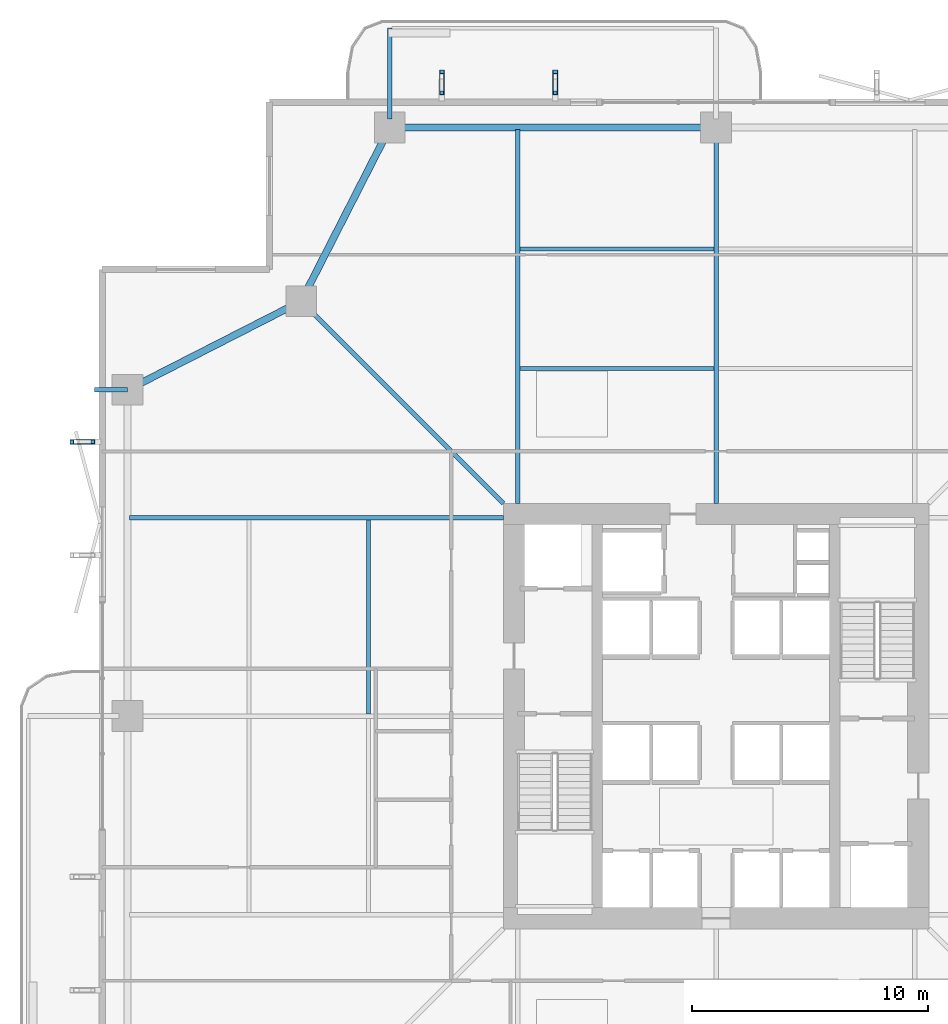
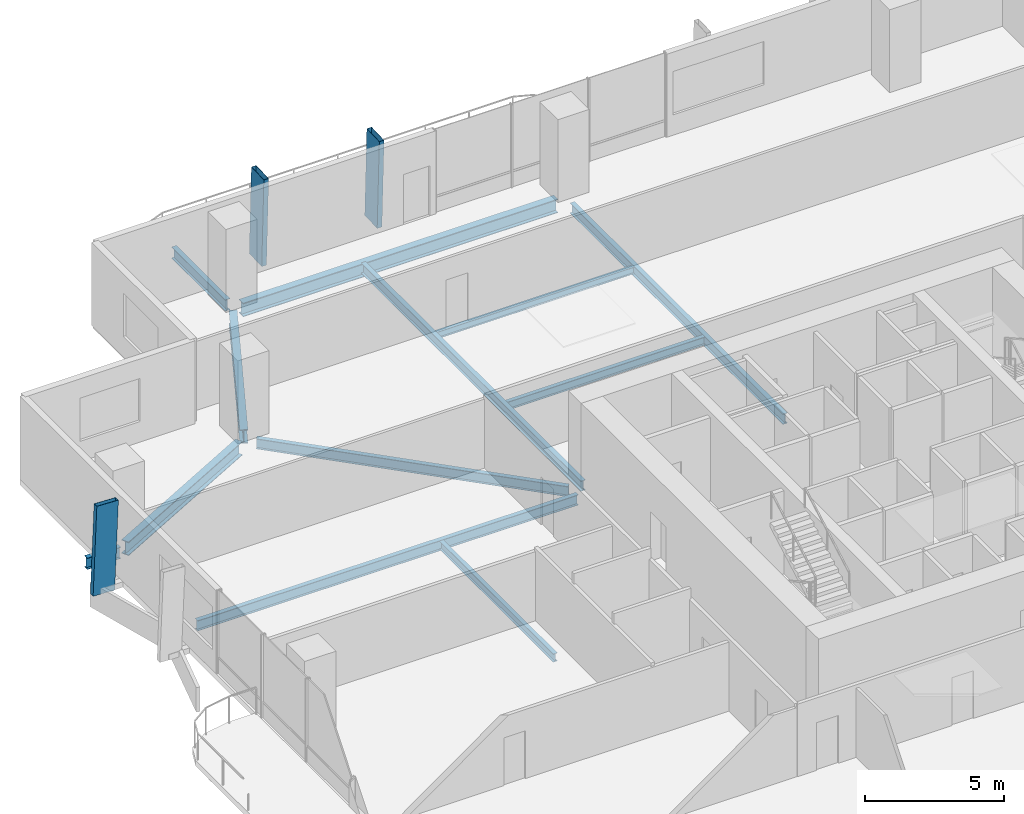
# One storey, part 10 of 24: 12 beams, 3 members.
"""IFC4 building model written with IfcOpenShell, lengths in metres."""

import ifcopenshell
import ifcopenshell.guid

model = None  # the IFC model being written
_history = None  # IfcOwnerHistory: only IFC2X3 demands one
_inside = {}  # id of a spatial element -> (the spatial element, [elements in it])
_under = {}  # id of a project, library or spatial element -> (it, [spatial elements below it])
_declared = {}  # id of a project -> (the project, [libraries it declares])
_typed = {}  # id of a type object -> (the type object, [elements of that type])
_made_of = {}  # id of a material, layer set ... -> (it, [elements and type objects made of it])


def new_model(schema):
    """Start an empty IFC model of exactly this schema.

    Asked for "IFC4X3", IfcOpenShell would pick the latest addendum, in which some entities
    have other attributes; the version numbers below select the first issue.
    IFC2X3 requires an IfcOwnerHistory on every rooted entity: one is made here for all.
    """
    global model, _history
    if schema == "IFC4X3":
        model = ifcopenshell.file(schema_version=(4, 3, 0, 0))
    else:
        model = ifcopenshell.file(schema=schema)
    _inside.clear()
    _under.clear()
    _declared.clear()
    _typed.clear()
    _made_of.clear()
    _history = None
    if model.schema == "IFC2X3":
        org = make("IfcOrganization", Name="unknown")
        user = make(
            "IfcPersonAndOrganization",
            ThePerson=make("IfcPerson", FamilyName="unknown"),
            TheOrganization=org,
        )
        app = make(
            "IfcApplication",
            ApplicationDeveloper=org,
            Version="unknown",
            ApplicationFullName="unknown",
            ApplicationIdentifier="unknown",
        )
        _history = make(
            "IfcOwnerHistory",
            OwningUser=user,
            OwningApplication=app,
            ChangeAction="ADDED",
            CreationDate=0,
        )
    return model


def make(cls, **values):
    """One entity of the class cls with the attributes given. An attribute that is None is left unset."""
    return model.create_entity(
        cls, **{name: value for name, value in values.items() if value is not None}
    )


def rooted(cls, **values):
    """An entity with a GlobalId (a new one), such as an element, a storey or a relation."""
    return make(cls, GlobalId=ifcopenshell.guid.new(), OwnerHistory=_history, **values)


def si_unit(unit_type, name, prefix=None):
    """IfcSIUnit, for example si_unit("LENGTHUNIT", "METRE", prefix="MILLI")."""
    return make("IfcSIUnit", UnitType=unit_type, Prefix=prefix, Name=name)


def assignment(units):
    """IfcUnitAssignment: the units of a project."""
    return None if units is None else make("IfcUnitAssignment", Units=units)


def point(xyz):
    """IfcCartesianPoint."""
    return None if xyz is None else make("IfcCartesianPoint", Coordinates=xyz)


def direction(xyz):
    """IfcDirection."""
    return None if xyz is None else make("IfcDirection", DirectionRatios=xyz)


def frame(location, z_axis=None, x_axis=None):
    """IfcAxis2Placement3D, a coordinate frame: its origin and axes. An axis left out is left unset."""
    return make(
        "IfcAxis2Placement3D",
        Location=point(location),
        Axis=direction(z_axis),
        RefDirection=direction(x_axis),
    )


def frame_2d(location, x_axis=None):
    """IfcAxis2Placement2D, a coordinate frame in the plane: its origin and x axis."""
    return make(
        "IfcAxis2Placement2D", Location=point(location), RefDirection=direction(x_axis)
    )


def origin():
    """The frame at (0, 0, 0) with its axes left unset."""
    return frame((0.0, 0.0, 0.0))


def origin_2d():
    """The frame at (0, 0) in the plane with its x axis left unset."""
    return frame_2d((0.0, 0.0))


def place(relative_to, where):
    """IfcLocalPlacement: puts the frame where relative to a parent placement (None: the world)."""
    return make(
        "IfcLocalPlacement", PlacementRelTo=relative_to, RelativePlacement=where
    )


def context(
    kind, dimensions, precision=None, world=None, true_north=None, identifier=None
):
    """IfcGeometricRepresentationContext, for example the 3D "Model" context."""
    return make(
        "IfcGeometricRepresentationContext",
        ContextIdentifier=identifier,
        ContextType=kind,
        CoordinateSpaceDimension=dimensions,
        Precision=precision,
        WorldCoordinateSystem=world,
        TrueNorth=true_north,
    )


def subcontext(parent, identifier, kind, view, scale=None):
    """IfcGeometricRepresentationSubContext, for example "Body" below "Model"."""
    return make(
        "IfcGeometricRepresentationSubContext",
        ContextIdentifier=identifier,
        ContextType=kind,
        ParentContext=parent,
        TargetScale=scale,
        TargetView=view,
    )


def project(units=None, contexts=None):
    """IfcProject with its units and contexts."""
    return rooted(
        "IfcProject",
        Name="project",
        RepresentationContexts=contexts,
        UnitsInContext=assignment(units),
    )


def spatial(cls, under=None, at=None, **own):
    """A site, building, storey or space (cls), placed at a placement, below another one or the project."""
    s = rooted(cls, ObjectPlacement=at, **own)
    if under is not None:
        _under.setdefault(under.id(), (under, []))[1].append(s)
    return s


def profile(cls, at=None, kind="AREA", **sizes):
    """A parametric profile (cls). Its sizes go by their IFC names, for example OverallWidth=200.0."""
    return make(cls, ProfileType=kind, Position=at, **sizes)


def hollow_rectangle(**sizes):
    """IfcRectangleHollowProfileDef."""
    return profile("IfcRectangleHollowProfileDef", **sizes)


def i_section(**sizes):
    """IfcIShapeProfileDef."""
    return profile("IfcIShapeProfileDef", **sizes)


def extrude(swept, where, along, depth):
    """IfcExtrudedAreaSolid: the profile swept, set in the frame where, extruded along a direction by depth."""
    return make(
        "IfcExtrudedAreaSolid",
        SweptArea=swept,
        Position=where,
        ExtrudedDirection=direction(along),
        Depth=depth,
    )


def shape(context_of_items, identifier, shape_type, items):
    """IfcShapeRepresentation: the items that make up one representation, for example the "Body"."""
    return make(
        "IfcShapeRepresentation",
        ContextOfItems=context_of_items,
        RepresentationIdentifier=identifier,
        RepresentationType=shape_type,
        Items=items,
    )


def material(Name=None, Category=None):
    """IfcMaterial."""
    return make("IfcMaterial", Name=Name, Category=Category)


def material_profile(
    of_material, cross_section, Name=None, Category=None, Priority=None
):
    """IfcMaterialProfile: a cross section and its material."""
    return make(
        "IfcMaterialProfile",
        Name=Name,
        Material=of_material,
        Profile=cross_section,
        Priority=Priority,
        Category=Category,
    )


def profile_set(profiles, Name=None, composite=None):
    """IfcMaterialProfileSet."""
    return make(
        "IfcMaterialProfileSet",
        Name=Name,
        MaterialProfiles=profiles,
        CompositeProfile=composite,
    )


def made_of(thing, what):
    """Note that an element or type object is made of a material, layer set ...; save() writes the relation."""
    if what is not None:
        _made_of.setdefault(what.id(), (what, []))[1].append(thing)
    return thing


def type_object(cls, material=None, **own):
    """A type object (cls), such as IfcWallType, which elements share."""
    return made_of(rooted(cls, **own), material)


def element(
    cls,
    number,
    at=None,
    inside=None,
    cuts=None,
    type_object=None,
    material=None,
    context=None,
    identifier="Body",
    shape_type=None,
    held_by="IfcProductDefinitionShape",
    body=None,
    shapes=None,
    **own,
):
    """One element of the class cls, such as IfcWall. Its Tag is "e" and its number.

    at: its placement. inside: the storey or other place that contains it. cuts: it is an
    opening in that element (IfcRelVoidsElement). A single representation is given by context,
    identifier, shape_type and body (its items); several are given by shapes. held_by: the class
    of the entity that holds the representations. save() writes the other relations.
    """
    e = rooted(cls, Tag="e%d" % number, ObjectPlacement=at, **own)
    if body is not None:
        shapes = [shape(context, identifier, shape_type, body)]
    if shapes is not None:
        e.Representation = make(held_by, Representations=shapes)
    if inside is not None:
        _inside.setdefault(inside.id(), (inside, []))[1].append(e)
    if cuts is not None:
        rooted(
            "IfcRelVoidsElement", RelatingBuildingElement=cuts, RelatedOpeningElement=e
        )
    if type_object is not None:
        _typed.setdefault(type_object.id(), (type_object, []))[1].append(e)
    return made_of(e, material)


def aggregate(whole, parts):
    """IfcRelAggregates: a whole, such as a stair, and the parts it consists of."""
    return rooted("IfcRelAggregates", RelatingObject=whole, RelatedObjects=parts)


def save(model, path):
    """Write the relations noted so far, then the file.

    IfcRelAggregates (storeys below a building ...), IfcRelContainedInSpatialStructure (elements
    in a storey), IfcRelDefinesByType, IfcRelAssociatesMaterial and IfcRelDeclares: one each for
    every whole, place, type object, material and project.
    """
    for whole, parts in _under.values():
        aggregate(whole, parts)
    for where, things in _inside.values():
        rooted(
            "IfcRelContainedInSpatialStructure",
            RelatedElements=things,
            RelatingStructure=where,
        )
    for kind, things in _typed.values():
        rooted("IfcRelDefinesByType", RelatedObjects=things, RelatingType=kind)
    for what, things in _made_of.values():
        rooted("IfcRelAssociatesMaterial", RelatedObjects=things, RelatingMaterial=what)
    for by, libraries in _declared.values():
        rooted("IfcRelDeclares", RelatingContext=by, RelatedDefinitions=libraries)
    model.write(path)


model = new_model("IFC4")

# Units and contexts
model_context = context("Model", 3, precision=1e-05, world=origin(), true_north=direction((0.0, 1.0)))
body_context = subcontext(model_context, "Body", "Model", "MODEL_VIEW")
ifc_project = project(units=[si_unit("LENGTHUNIT", "METRE"), si_unit("AREAUNIT", "SQUARE_METRE"), si_unit("VOLUMEUNIT", "CUBIC_METRE"), si_unit("PLANEANGLEUNIT", "RADIAN"), si_unit("MASSUNIT", "GRAM", prefix="KILO")], contexts=[model_context])

# Site, building, storey
site_placement = place(None, origin())
site = spatial("IfcSite", under=ifc_project, at=site_placement, CompositionType="ELEMENT")
building_placement = place(site_placement, origin())
building = spatial("IfcBuilding", under=site, at=building_placement, Name="Belovzor Exchange Tower", CompositionType="ELEMENT")
storey_placement = place(building_placement, frame((0.0, 0.0, 121.199951171875)))
storey = spatial("IfcBuildingStorey", under=building, at=storey_placement, Name="L29", CompositionType="ELEMENT", Elevation=121.199951171875)

# Beams
ifc_material_1 = material(Name="Steel S355", Category="steel")
ifc_material_profile_1 = material_profile(ifc_material_1, i_section(OverallWidth=0.199951171875, OverallDepth=0.5, WebThickness=0.01025390625, FlangeThickness=0.01611328125, at=origin_2d()))
ifc_profile_set_1 = profile_set([ifc_material_profile_1], Name="Steel S355")
beam_type_1 = type_object("IfcBeamType", Name="Planted Balcony Cantilever Beam IPE 500", PredefinedType="BEAM", material=ifc_profile_set_1)
beam_1_placement = place(storey_placement, frame((15.0, 54.05810546875, -0.5), z_axis=(0.0, 1.0, 0.0), x_axis=(-1.0, 0.0, 0.0)))
element("IfcBeam", 1, at=beam_1_placement, inside=storey, type_object=beam_type_1, Name="BC-500 Planted Balcony Cantilever Beam IPE 500", PredefinedType="BEAM", context=body_context, shape_type="SweptSolid", body=[
    extrude(i_section(OverallWidth=0.199951171875, OverallDepth=0.5, WebThickness=0.01025390625, FlangeThickness=0.01611328125, at=origin_2d()), origin(), (0.0, 0.0, 1.0), 3.849853515625),
])
beam_2_placement = place(storey_placement, frame((3.89990234375, 42.60009765625, -0.5), z_axis=(-1.0, 0.0, 0.0), x_axis=(0.0, -1.0, 0.0)))
element("IfcBeam", 2, at=beam_2_placement, inside=storey, type_object=beam_type_1, Name="BC-500 Planted Balcony Cantilever Beam IPE 500", PredefinedType="BEAM", context=body_context, shape_type="SweptSolid", body=[
    extrude(i_section(OverallWidth=0.199951171875, OverallDepth=0.5, WebThickness=0.01025390625, FlangeThickness=0.01611328125, at=origin_2d()), origin(), (0.0, 0.0, 1.0), 1.39990234375),
])
ifc_material_2 = material(Name="Steel S355", Category="steel")
ifc_material_profile_2 = material_profile(ifc_material_2, i_section(OverallWidth=0.169921875, OverallDepth=0.360107421875, WebThickness=0.008056640625, FlangeThickness=0.0126953125, at=origin_2d()))
ifc_profile_set_2 = profile_set([ifc_material_profile_2], Name="Steel S355")
beam_type_2 = type_object("IfcBeamType", Name="Secondary Infill Floor Joist IPE 360", PredefinedType="BEAM", material=ifc_profile_set_2)
for number, where, z_axis, x_axis, name in (
    (3, (20.4951171875, 43.4970703125, -0.429931640625), (1.0, 0.0, 0.0), (0.0, 1.0, 0.0), "FJ-360 Secondary Infill Floor Joist IPE 360"),
    (4, (14.10302734375, 28.89501953125, -0.429931640625), (0.0, 1.0, 0.0), (-1.0, 0.0, 0.0), "FJ-360 Secondary Infill Floor Joist IPE 360"),
):
    element("IfcBeam", number, at=place(storey_placement, frame(where, z_axis=z_axis, x_axis=x_axis)), inside=storey, type_object=beam_type_2, Name=name, PredefinedType="BEAM", context=body_context, shape_type="SweptSolid", body=[
        extrude(i_section(OverallWidth=0.169921875, OverallDepth=0.360107421875, WebThickness=0.008056640625, FlangeThickness=0.0126953125, at=origin_2d()), origin(), (0.0, 0.0, 1.0), 8.2099609375),
    ])
ifc_material_3 = material(Name="Steel S355", Category="steel")
ifc_material_profile_3 = material_profile(ifc_material_3, i_section(OverallWidth=0.14990234375, OverallDepth=0.300048828125, WebThickness=0.007080078125, FlangeThickness=0.0107421875, at=origin_2d()))
ifc_profile_set_3 = profile_set([ifc_material_profile_3], Name="Steel S355")
beam_type_3 = type_object("IfcBeamType", Name="Secondary Trim Floor Joist IPE 300", PredefinedType="BEAM", material=ifc_profile_set_3)
beam_3_placement = place(storey_placement, frame((20.4951171875, 48.56103515625, -0.39990234375), z_axis=(1.0, 0.0, 0.0), x_axis=(0.0, 1.0, 0.0)))
element("IfcBeam", 5, at=beam_3_placement, inside=storey, type_object=beam_type_3, Name="FJ-300 Secondary Trim Floor Joist IPE 300", PredefinedType="BEAM", context=body_context, shape_type="SweptSolid", body=[
    extrude(i_section(OverallWidth=0.14990234375, OverallDepth=0.300048828125, WebThickness=0.007080078125, FlangeThickness=0.0107421875, at=origin_2d()), origin(), (0.0, 0.0, 1.0), 8.2099609375),
])

# Members
ifc_material_4 = material(Name="Extruded Architectural Terracotta on Steel S355 Carrier", Category="masonry")
ifc_material_profile_4 = material_profile(ifc_material_4, hollow_rectangle(XDim=0.199951171875, YDim=0.89990234375, WallThickness=0.011962890625, at=origin_2d()))
ifc_profile_set_4 = profile_set([ifc_material_profile_4], Name="Extruded Architectural Terracotta on Steel S355 Carrier")
member_type = type_object("IfcMemberType", Name="Sweeping Terracotta Baguette Fin Assembly 1250", PredefinedType="USERDEFINED", material=ifc_profile_set_4)
for number, where, z_axis, x_axis, name in (
    (6, (17.199951171875, 55.68310546875, -0.25), (0.0, -0.039718243113, 0.999210919258), (1.0, 0.0, 0.0), "FIN-TC125 Terracotta Facade Fin L29 N1"),
    (7, (22.0, 55.68310546875, -0.25), (0.0, -0.039718243113, 0.999210919258), (1.0, 0.0, 0.0), "FIN-TC125 Terracotta Facade Fin L29 N2"),
    (8, (1.9169921875, 40.39990234375, -0.25), (0.039718243113, 0.0, 0.999210919258), (0.0, 1.0, 0.0), "FIN-TC125 Terracotta Facade Fin L29 W4"),
):
    element("IfcMember", number, at=place(storey_placement, frame(where, z_axis=z_axis, x_axis=x_axis)), inside=storey, type_object=member_type, Name=name, ObjectType="FIN", PredefinedType="USERDEFINED", context=body_context, shape_type="SweptSolid", body=[
        extrude(hollow_rectangle(XDim=0.199951171875, YDim=0.89990234375, WallThickness=0.011962890625, at=origin_2d()), origin(), (0.0, 0.0, 1.0), 3.9033203125),
    ])

# Beams
ifc_material_5 = material(Name="Steel S355", Category="steel")
ifc_material_profile_5 = material_profile(ifc_material_5, i_section(OverallWidth=0.300048828125, OverallDepth=0.60009765625, WebThickness=0.015380859375, FlangeThickness=0.030029296875, at=origin_2d()))
ifc_profile_set_5 = profile_set([ifc_material_profile_5], Name="Steel S355")
beam_type_4 = type_object("IfcBeamType", Name="Zone 2 Primary Perimeter Girder HEB 600", PredefinedType="BEAM", material=ifc_profile_set_5)
beam_4_placement = place(storey_placement, frame((28.44189453125, 53.699951171875, -0.550048828125), z_axis=(-1.0, 0.0, 0.0), x_axis=(0.0, -1.0, 0.0)))
element("IfcBeam", 9, at=beam_4_placement, inside=storey, type_object=beam_type_4, Name="FG-Z2 Zone 2 Primary Perimeter Girder HEB 600", PredefinedType="BEAM", context=body_context, shape_type="SweptSolid", body=[
    extrude(i_section(OverallWidth=0.300048828125, OverallDepth=0.60009765625, WebThickness=0.015380859375, FlangeThickness=0.030029296875, at=origin_2d()), origin(), (0.0, 0.0, 1.0), 13.0849609375),
])
for number, where, z_axis, x_axis, name in (
    (10, (14.837890625, 53.382080078125, -0.550048828125), (-0.454492894481, -0.890750362822, 0.0), (0.890750362822, -0.454492894481, 0.0), "FG-Z2 Zone 2 Primary Perimeter Girder HEB 600"),
    (11, (10.931884765625, 46.18798828125, -0.550048828125), (-0.890730558493, -0.454531706448, 0.0), (0.454531706448, -0.890730558493, 0.0), "FG-Z2 Zone 2 Primary Perimeter Girder HEB 600"),
):
    element("IfcBeam", number, at=place(storey_placement, frame(where, z_axis=z_axis, x_axis=x_axis)), inside=storey, type_object=beam_type_4, Name=name, PredefinedType="BEAM", context=body_context, shape_type="SweptSolid", body=[
        extrude(i_section(OverallWidth=0.300048828125, OverallDepth=0.60009765625, WebThickness=0.015380859375, FlangeThickness=0.030029296875, at=origin_2d()), origin(), (0.0, 0.0, 1.0), 7.53759765625),
    ])
ifc_material_6 = material(Name="Steel S355", Category="steel")
ifc_material_profile_6 = material_profile(ifc_material_6, i_section(OverallWidth=0.18994140625, OverallDepth=0.449951171875, WebThickness=0.009521484375, FlangeThickness=0.0146484375, at=origin_2d()))
ifc_profile_set_6 = profile_set([ifc_material_profile_6], Name="Steel S355")
beam_type_5 = type_object("IfcBeamType", Name="Zone 2-4 Radial Composite Floor Beam IPE 450", PredefinedType="BEAM", material=ifc_profile_set_6)
beam_5_placement = place(storey_placement, frame((20.39990234375, 37.800048828125, -0.474853515625), z_axis=(0.0, 1.0, 0.0), x_axis=(-1.0, 0.0, 0.0)))
element("IfcBeam", 12, at=beam_5_placement, inside=storey, type_object=beam_type_5, Name="FB-450 Zone 2-4 Radial Composite Floor Beam IPE 450", PredefinedType="BEAM", context=body_context, shape_type="SweptSolid", body=[
    extrude(i_section(OverallWidth=0.18994140625, OverallDepth=0.449951171875, WebThickness=0.009521484375, FlangeThickness=0.0146484375, at=origin_2d()), origin(), (0.0, 0.0, 1.0), 15.824951171875),
])
beam_6_placement = place(storey_placement, frame((28.800048828125, 37.800048828125, -0.474853515625), z_axis=(0.0, 1.0, 0.0), x_axis=(-1.0, 0.0, 0.0)))
element("IfcBeam", 13, at=beam_6_placement, inside=storey, type_object=beam_type_5, Name="FB-450 Zone 2-4 Radial Composite Floor Beam IPE 450", PredefinedType="BEAM", context=body_context, shape_type="SweptSolid", body=[
    extrude(i_section(OverallWidth=0.18994140625, OverallDepth=0.449951171875, WebThickness=0.009521484375, FlangeThickness=0.0146484375, at=origin_2d()), origin(), (0.0, 0.0, 1.0), 15.327880859375),
])
beam_7_placement = place(storey_placement, frame((19.800048828125, 37.199951171875, -0.474853515625), z_axis=(-1.0, 0.0, 0.0), x_axis=(0.0, -1.0, 0.0)))
element("IfcBeam", 14, at=beam_7_placement, inside=storey, type_object=beam_type_5, Name="FB-450 Zone 2-4 Radial Composite Floor Beam IPE 450", PredefinedType="BEAM", context=body_context, shape_type="SweptSolid", body=[
    extrude(i_section(OverallWidth=0.18994140625, OverallDepth=0.449951171875, WebThickness=0.009521484375, FlangeThickness=0.0146484375, at=origin_2d()), origin(), (0.0, 0.0, 1.0), 15.824951171875),
])
beam_8_placement = place(storey_placement, frame((19.800048828125, 37.800048828125, -0.474853515625), z_axis=(-0.707117275577, 0.70709628664, 0.0), x_axis=(-0.70709628664, -0.707117275577, 0.0)))
element("IfcBeam", 15, at=beam_8_placement, inside=storey, type_object=beam_type_5, Name="FB-450 Zone 2-4 Radial Composite Floor Beam IPE 450", PredefinedType="BEAM", context=body_context, shape_type="SweptSolid", body=[
    extrude(i_section(OverallWidth=0.18994140625, OverallDepth=0.449951171875, WebThickness=0.009521484375, FlangeThickness=0.0146484375, at=origin_2d()), origin(), (0.0, 0.0, 1.0), 11.6318359375),
])

save(model, "model.ifc")
